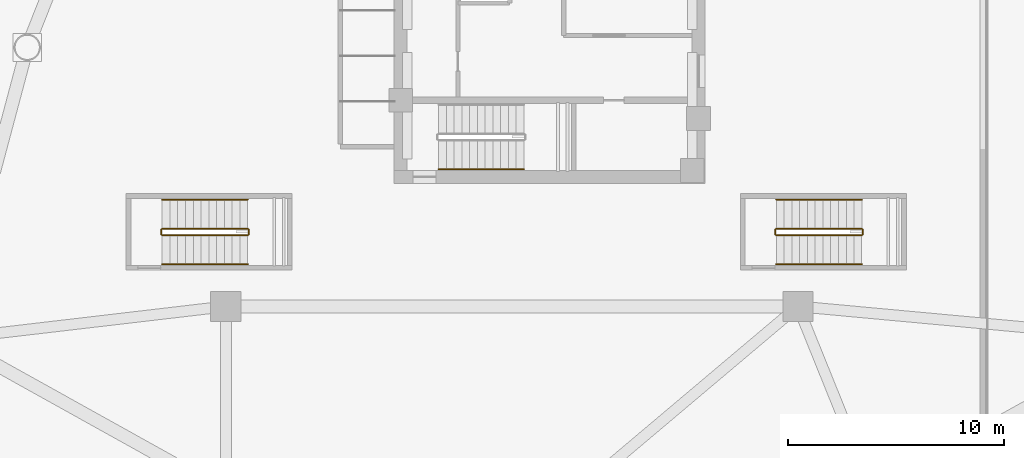
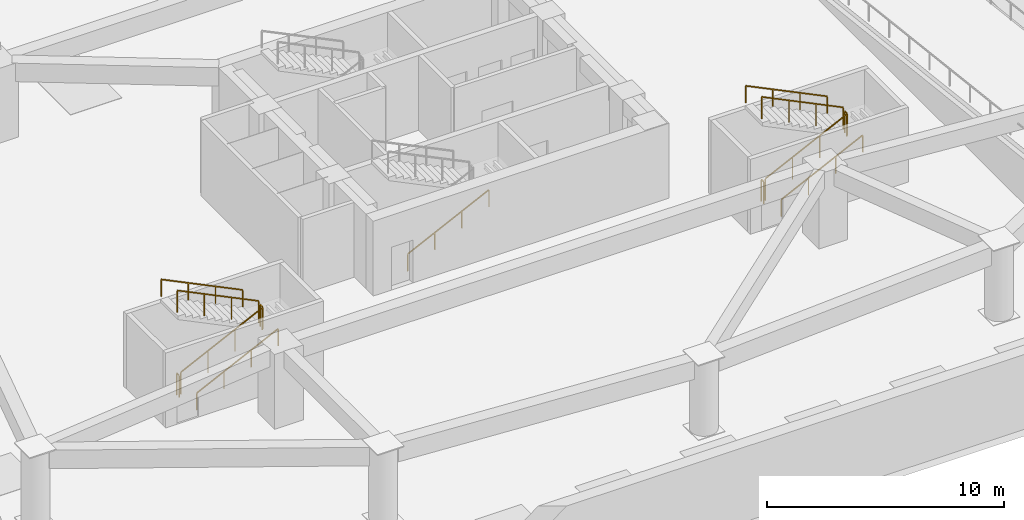
# One storey, part 7 of 9: 13 railings.
"""IFC4 building model written with IfcOpenShell, lengths in metres."""

from ifc_helpers import new_model, si_unit, direction, frame, origin, origin_2d, place, context, subcontext, project, spatial, rectangle, extrude, material, type_object, element, save


model = new_model("IFC4")

# Units and contexts
model_context = context("Model", 3, precision=1e-05, world=origin(), true_north=direction((0.0, 1.0)))
body_context = subcontext(model_context, "Body", "Model", "MODEL_VIEW")
ifc_project = project(units=[si_unit("LENGTHUNIT", "METRE"), si_unit("AREAUNIT", "SQUARE_METRE"), si_unit("VOLUMEUNIT", "CUBIC_METRE"), si_unit("PLANEANGLEUNIT", "RADIAN"), si_unit("MASSUNIT", "GRAM", prefix="KILO")], contexts=[model_context])

# Site, building, storey
site_placement = place(None, origin())
site = spatial("IfcSite", under=ifc_project, at=site_placement, CompositionType="ELEMENT")
building_placement = place(site_placement, origin())
building = spatial("IfcBuilding", under=site, at=building_placement, Name="Tavelor Broadcast Tower", CompositionType="ELEMENT")
storey_placement = place(building_placement, frame((0.0, 0.0, -4.199951171875)))
storey = spatial("IfcBuildingStorey", under=building, at=storey_placement, Name="B01", CompositionType="ELEMENT", Elevation=-4.199951171875)

# Railings
ifc_material = material(Name="Steel S355", Category="steel")
railing_type_1 = type_object("IfcRailingType", Name="Continuous Brushed Stainless Handrail 900 mm", PredefinedType="HANDRAIL", material=ifc_material)
for number, where, name in (
    (1, (44.85009765625, 38.85009765625, 0.175048828125), "B01 ST2 stair handrail 1"),
    (2, (32.050048828125, 34.449951171875, 0.175048828125), "B01 ST3 stair handrail 1"),
):
    element("IfcRailing", number, at=place(storey_placement, frame(where)), inside=storey, type_object=railing_type_1, Name=name, PredefinedType="HANDRAIL", context=body_context, shape_type="SweptSolid", body=[
        extrude(rectangle(XDim=0.048095703125, YDim=0.048095703125, at=origin_2d()), frame((0.0, 0.0, 0.8759765625), z_axis=(0.899383599736, 0.0, 0.437160314446), x_axis=(0.0, 1.0, 0.0)), (0.0, 0.0, 1.0), 4.403076171875),
        extrude(rectangle(XDim=0.0419921875, YDim=0.0419921875, at=origin_2d()), origin(), (0.0, 0.0, 1.0), 0.851806640625),
        extrude(rectangle(XDim=0.0419921875, YDim=0.0419921875, at=origin_2d()), frame((1.320068359375, 0.0, 0.6416015625)), (0.0, 0.0, 1.0), 0.851806640625),
        extrude(rectangle(XDim=0.0419921875, YDim=0.0419921875, at=origin_2d()), frame((2.639892578125, 0.0, 1.283203125)), (0.0, 0.0, 1.0), 0.851806640625),
        extrude(rectangle(XDim=0.0419921875, YDim=0.0419921875, at=origin_2d()), frame((3.9599609375, 0.0, 1.9248046875)), (0.0, 0.0, 1.0), 0.851806640625),
    ])
railing_1_placement = place(storey_placement, frame((36.010009765625, 37.449951171875, 2.27490234375)))
element("IfcRailing", 3, at=railing_1_placement, inside=storey, type_object=railing_type_1, Name="B01 ST3 stair handrail 2", PredefinedType="HANDRAIL", context=body_context, shape_type="SweptSolid", body=[
    extrude(rectangle(XDim=0.048095703125, YDim=0.048095703125, at=origin_2d()), frame((0.0, 0.0, 0.8759765625), z_axis=(-0.899361797975, 0.0, 0.437205165045), x_axis=(0.0, -1.0, 0.0)), (0.0, 0.0, 1.0), 4.403076171875),
    extrude(rectangle(XDim=0.0419921875, YDim=0.0419921875, at=origin_2d()), origin(), (0.0, 0.0, 1.0), 0.851806640625),
    extrude(rectangle(XDim=0.0419921875, YDim=0.0419921875, at=origin_2d()), frame((-1.320068359375, 0.0, 0.6416015625)), (0.0, 0.0, 1.0), 0.851806640625),
    extrude(rectangle(XDim=0.0419921875, YDim=0.0419921875, at=origin_2d()), frame((-2.639892578125, 0.0, 1.283447265625)), (0.0, 0.0, 1.0), 0.851806640625),
    extrude(rectangle(XDim=0.0419921875, YDim=0.0419921875, at=origin_2d()), frame((-3.9599609375, 0.0, 1.925048828125)), (0.0, 0.0, 1.0), 0.851806640625),
])
railing_2_placement = place(storey_placement, frame((60.5, 34.449951171875, 0.175048828125)))
element("IfcRailing", 4, at=railing_2_placement, inside=storey, type_object=railing_type_1, Name="B01 ST4 stair handrail 1", PredefinedType="HANDRAIL", context=body_context, shape_type="SweptSolid", body=[
    extrude(rectangle(XDim=0.048095703125, YDim=0.048095703125, at=origin_2d()), frame((0.0, 0.0, 0.8759765625), z_axis=(0.899383599736, 0.0, 0.437160314446), x_axis=(0.0, 1.0, 0.0)), (0.0, 0.0, 1.0), 4.403076171875),
    extrude(rectangle(XDim=0.0419921875, YDim=0.0419921875, at=origin_2d()), origin(), (0.0, 0.0, 1.0), 0.851806640625),
    extrude(rectangle(XDim=0.0419921875, YDim=0.0419921875, at=origin_2d()), frame((1.320068359375, 0.0, 0.6416015625)), (0.0, 0.0, 1.0), 0.851806640625),
    extrude(rectangle(XDim=0.0419921875, YDim=0.0419921875, at=origin_2d()), frame((2.639892578125, 0.0, 1.283203125)), (0.0, 0.0, 1.0), 0.851806640625),
    extrude(rectangle(XDim=0.0419921875, YDim=0.0419921875, at=origin_2d()), frame((3.9599609375, 0.0, 1.9248046875)), (0.0, 0.0, 1.0), 0.851806640625),
])
railing_3_placement = place(storey_placement, frame((64.4599609375, 37.449951171875, 2.27490234375)))
element("IfcRailing", 5, at=railing_3_placement, inside=storey, type_object=railing_type_1, Name="B01 ST4 stair handrail 2", PredefinedType="HANDRAIL", context=body_context, shape_type="SweptSolid", body=[
    extrude(rectangle(XDim=0.048095703125, YDim=0.048095703125, at=origin_2d()), frame((0.0, 0.0, 0.8759765625), z_axis=(-0.899361797975, 0.0, 0.437205165045), x_axis=(0.0, -1.0, 0.0)), (0.0, 0.0, 1.0), 4.403076171875),
    extrude(rectangle(XDim=0.0419921875, YDim=0.0419921875, at=origin_2d()), origin(), (0.0, 0.0, 1.0), 0.851806640625),
    extrude(rectangle(XDim=0.0419921875, YDim=0.0419921875, at=origin_2d()), frame((-1.320068359375, 0.0, 0.6416015625)), (0.0, 0.0, 1.0), 0.851806640625),
    extrude(rectangle(XDim=0.0419921875, YDim=0.0419921875, at=origin_2d()), frame((-2.639892578125, 0.0, 1.283447265625)), (0.0, 0.0, 1.0), 0.851806640625),
    extrude(rectangle(XDim=0.0419921875, YDim=0.0419921875, at=origin_2d()), frame((-3.9599609375, 0.0, 1.925048828125)), (0.0, 0.0, 1.0), 0.851806640625),
])
railing_type_2 = type_object("IfcRailingType", Name="Stairwell Steel Safety Guardrail 1150 mm", PredefinedType="GUARDRAIL", material=ifc_material)
railing_4_placement = place(storey_placement, frame((32.050048828125, 35.800048828125, 0.175048828125)))
element("IfcRailing", 6, at=railing_4_placement, inside=storey, type_object=railing_type_2, Name="B01 ST3 stair guard 1", PredefinedType="GUARDRAIL", context=body_context, shape_type="SweptSolid", body=[
    extrude(rectangle(XDim=0.048095703125, YDim=0.048095703125, at=origin_2d()), frame((0.0, 0.0, 1.1259765625), z_axis=(0.899383599736, 0.0, 0.437160314446), x_axis=(0.0, 1.0, 0.0)), (0.0, 0.0, 1.0), 4.403076171875),
    extrude(rectangle(XDim=0.0419921875, YDim=0.0419921875, at=origin_2d()), origin(), (0.0, 0.0, 1.0), 1.101806640625),
    extrude(rectangle(XDim=0.0419921875, YDim=0.0419921875, at=origin_2d()), frame((1.320068359375, 0.0, 0.6416015625)), (0.0, 0.0, 1.0), 1.101806640625),
    extrude(rectangle(XDim=0.0419921875, YDim=0.0419921875, at=origin_2d()), frame((2.639892578125, 0.0, 1.283203125)), (0.0, 0.0, 1.0), 1.101806640625),
    extrude(rectangle(XDim=0.0419921875, YDim=0.0419921875, at=origin_2d()), frame((3.9599609375, 0.0, 1.9248046875)), (0.0, 0.0, 1.0), 1.101806640625),
])
railing_5_placement = place(storey_placement, frame((36.06005859375, 35.85009765625, 2.099853515625)))
element("IfcRailing", 7, at=railing_5_placement, inside=storey, type_object=railing_type_2, Name="B01 ST3 stair guard 2", PredefinedType="GUARDRAIL", context=body_context, shape_type="SweptSolid", body=[
    extrude(rectangle(XDim=0.048095703125, YDim=0.048095703125, at=origin_2d()), frame((0.0, 0.0, 1.1259765625), z_axis=(0.0, 1.0, 0.0), x_axis=(-1.0, 0.0, 0.0)), (0.0, 0.0, 1.0), 0.199951171875),
    extrude(rectangle(XDim=0.0419921875, YDim=0.0419921875, at=origin_2d()), origin(), (0.0, 0.0, 1.0), 1.101806640625),
    extrude(rectangle(XDim=0.0419921875, YDim=0.0419921875, at=origin_2d()), frame((0.0, 0.199951171875, 0.0)), (0.0, 0.0, 1.0), 1.101806640625),
])
railing_6_placement = place(storey_placement, frame((36.010009765625, 36.10009765625, 2.27490234375)))
element("IfcRailing", 8, at=railing_6_placement, inside=storey, type_object=railing_type_2, Name="B01 ST3 stair guard 3", PredefinedType="GUARDRAIL", context=body_context, shape_type="SweptSolid", body=[
    extrude(rectangle(XDim=0.048095703125, YDim=0.048095703125, at=origin_2d()), frame((0.0, 0.0, 1.1259765625), z_axis=(-0.899361797975, 0.0, 0.437205165045), x_axis=(0.0, -1.0, 0.0)), (0.0, 0.0, 1.0), 4.403076171875),
    extrude(rectangle(XDim=0.0419921875, YDim=0.0419921875, at=origin_2d()), origin(), (0.0, 0.0, 1.0), 1.101806640625),
    extrude(rectangle(XDim=0.0419921875, YDim=0.0419921875, at=origin_2d()), frame((-1.320068359375, 0.0, 0.6416015625)), (0.0, 0.0, 1.0), 1.101806640625),
    extrude(rectangle(XDim=0.0419921875, YDim=0.0419921875, at=origin_2d()), frame((-2.639892578125, 0.0, 1.283447265625)), (0.0, 0.0, 1.0), 1.101806640625),
    extrude(rectangle(XDim=0.0419921875, YDim=0.0419921875, at=origin_2d()), frame((-3.9599609375, 0.0, 1.925048828125)), (0.0, 0.0, 1.0), 1.101806640625),
])
railing_7_placement = place(storey_placement, frame((32.0, 35.85009765625, 0.0)))
element("IfcRailing", 9, at=railing_7_placement, inside=storey, type_object=railing_type_2, Name="B01 ST3 stair guard 4", PredefinedType="GUARDRAIL", context=body_context, shape_type="SweptSolid", body=[
    extrude(rectangle(XDim=0.048095703125, YDim=0.048095703125, at=origin_2d()), frame((0.0, 0.0, 1.1259765625), z_axis=(0.0, 1.0, 0.0), x_axis=(-1.0, 0.0, 0.0)), (0.0, 0.0, 1.0), 0.199951171875),
    extrude(rectangle(XDim=0.0419921875, YDim=0.0419921875, at=origin_2d()), origin(), (0.0, 0.0, 1.0), 1.101806640625),
    extrude(rectangle(XDim=0.0419921875, YDim=0.0419921875, at=origin_2d()), frame((0.0, 0.199951171875, 0.0)), (0.0, 0.0, 1.0), 1.101806640625),
])
railing_8_placement = place(storey_placement, frame((60.5, 35.800048828125, 0.175048828125)))
element("IfcRailing", 10, at=railing_8_placement, inside=storey, type_object=railing_type_2, Name="B01 ST4 stair guard 1", PredefinedType="GUARDRAIL", context=body_context, shape_type="SweptSolid", body=[
    extrude(rectangle(XDim=0.048095703125, YDim=0.048095703125, at=origin_2d()), frame((0.0, 0.0, 1.1259765625), z_axis=(0.899383599736, 0.0, 0.437160314446), x_axis=(0.0, 1.0, 0.0)), (0.0, 0.0, 1.0), 4.403076171875),
    extrude(rectangle(XDim=0.0419921875, YDim=0.0419921875, at=origin_2d()), origin(), (0.0, 0.0, 1.0), 1.101806640625),
    extrude(rectangle(XDim=0.0419921875, YDim=0.0419921875, at=origin_2d()), frame((1.320068359375, 0.0, 0.6416015625)), (0.0, 0.0, 1.0), 1.101806640625),
    extrude(rectangle(XDim=0.0419921875, YDim=0.0419921875, at=origin_2d()), frame((2.639892578125, 0.0, 1.283203125)), (0.0, 0.0, 1.0), 1.101806640625),
    extrude(rectangle(XDim=0.0419921875, YDim=0.0419921875, at=origin_2d()), frame((3.9599609375, 0.0, 1.9248046875)), (0.0, 0.0, 1.0), 1.101806640625),
])
railing_9_placement = place(storey_placement, frame((64.510009765625, 35.85009765625, 2.099853515625)))
element("IfcRailing", 11, at=railing_9_placement, inside=storey, type_object=railing_type_2, Name="B01 ST4 stair guard 2", PredefinedType="GUARDRAIL", context=body_context, shape_type="SweptSolid", body=[
    extrude(rectangle(XDim=0.048095703125, YDim=0.048095703125, at=origin_2d()), frame((0.0, 0.0, 1.1259765625), z_axis=(0.0, 1.0, 0.0), x_axis=(-1.0, 0.0, 0.0)), (0.0, 0.0, 1.0), 0.199951171875),
    extrude(rectangle(XDim=0.0419921875, YDim=0.0419921875, at=origin_2d()), origin(), (0.0, 0.0, 1.0), 1.101806640625),
    extrude(rectangle(XDim=0.0419921875, YDim=0.0419921875, at=origin_2d()), frame((0.0, 0.199951171875, 0.0)), (0.0, 0.0, 1.0), 1.101806640625),
])
railing_10_placement = place(storey_placement, frame((64.4599609375, 36.10009765625, 2.27490234375)))
element("IfcRailing", 12, at=railing_10_placement, inside=storey, type_object=railing_type_2, Name="B01 ST4 stair guard 3", PredefinedType="GUARDRAIL", context=body_context, shape_type="SweptSolid", body=[
    extrude(rectangle(XDim=0.048095703125, YDim=0.048095703125, at=origin_2d()), frame((0.0, 0.0, 1.1259765625), z_axis=(-0.899361797975, 0.0, 0.437205165045), x_axis=(0.0, -1.0, 0.0)), (0.0, 0.0, 1.0), 4.403076171875),
    extrude(rectangle(XDim=0.0419921875, YDim=0.0419921875, at=origin_2d()), origin(), (0.0, 0.0, 1.0), 1.101806640625),
    extrude(rectangle(XDim=0.0419921875, YDim=0.0419921875, at=origin_2d()), frame((-1.320068359375, 0.0, 0.6416015625)), (0.0, 0.0, 1.0), 1.101806640625),
    extrude(rectangle(XDim=0.0419921875, YDim=0.0419921875, at=origin_2d()), frame((-2.639892578125, 0.0, 1.283447265625)), (0.0, 0.0, 1.0), 1.101806640625),
    extrude(rectangle(XDim=0.0419921875, YDim=0.0419921875, at=origin_2d()), frame((-3.9599609375, 0.0, 1.925048828125)), (0.0, 0.0, 1.0), 1.101806640625),
])
railing_11_placement = place(storey_placement, frame((60.449951171875, 35.85009765625, 0.0)))
element("IfcRailing", 13, at=railing_11_placement, inside=storey, type_object=railing_type_2, Name="B01 ST4 stair guard 4", PredefinedType="GUARDRAIL", context=body_context, shape_type="SweptSolid", body=[
    extrude(rectangle(XDim=0.048095703125, YDim=0.048095703125, at=origin_2d()), frame((0.0, 0.0, 1.1259765625), z_axis=(0.0, 1.0, 0.0), x_axis=(-1.0, 0.0, 0.0)), (0.0, 0.0, 1.0), 0.199951171875),
    extrude(rectangle(XDim=0.0419921875, YDim=0.0419921875, at=origin_2d()), origin(), (0.0, 0.0, 1.0), 1.101806640625),
    extrude(rectangle(XDim=0.0419921875, YDim=0.0419921875, at=origin_2d()), frame((0.0, 0.199951171875, 0.0)), (0.0, 0.0, 1.0), 1.101806640625),
])

save(model, "model.ifc")
